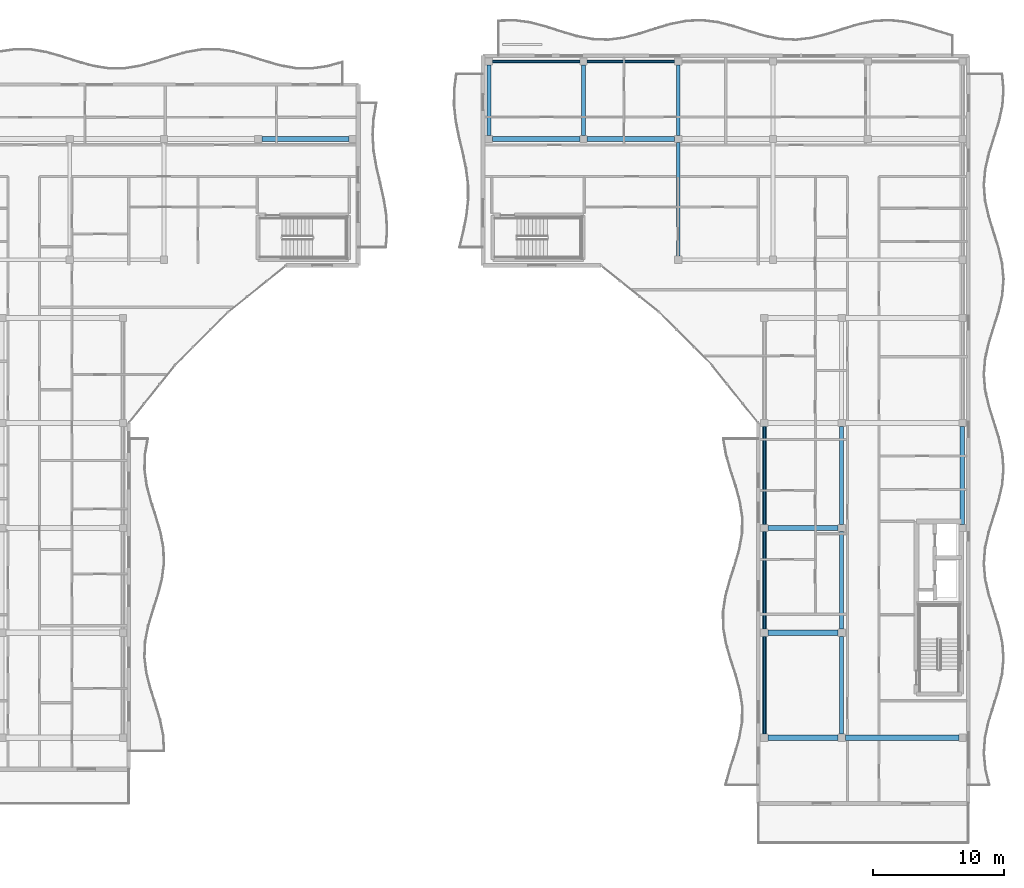
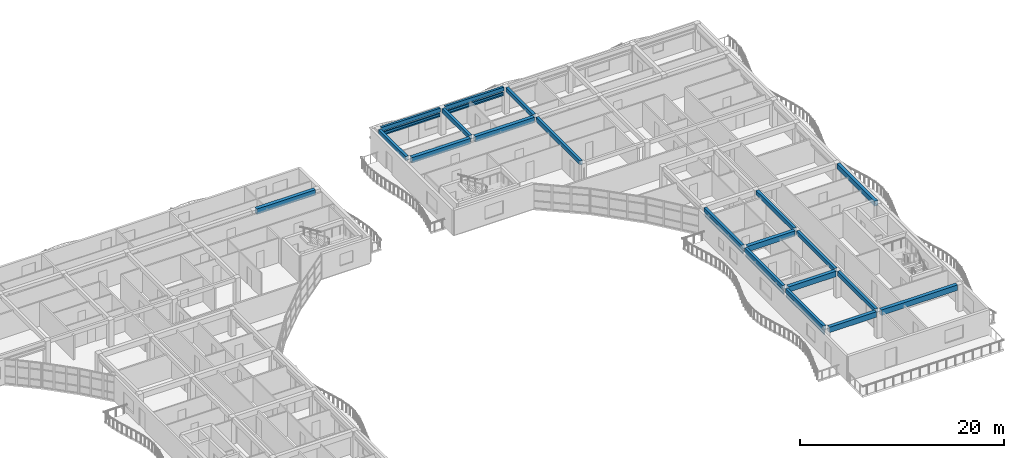
# One storey, part 16 of 49: 20 beams, 10 members.
"""IFC4 building model written with IfcOpenShell, lengths in metres."""

from ifc_helpers import new_model, si_unit, direction, frame, origin, origin_2d, place, context, subcontext, project, spatial, rectangle, hollow_rectangle, extrude, material, material_profile, profile_set, type_object, element, save


model = new_model("IFC4")

# Units and contexts
model_context = context("Model", 3, precision=1e-05, world=origin(), true_north=direction((0.0, 1.0)))
body_context = subcontext(model_context, "Body", "Model", "MODEL_VIEW")
ifc_project = project(units=[si_unit("LENGTHUNIT", "METRE"), si_unit("AREAUNIT", "SQUARE_METRE"), si_unit("VOLUMEUNIT", "CUBIC_METRE"), si_unit("PLANEANGLEUNIT", "RADIAN"), si_unit("MASSUNIT", "GRAM", prefix="KILO")], contexts=[model_context])

# Site, building, storey
site_placement = place(None, origin())
site = spatial("IfcSite", under=ifc_project, at=site_placement, CompositionType="ELEMENT")
building_placement = place(site_placement, origin())
building = spatial("IfcBuilding", under=site, at=building_placement, Name="Keldmere Railside Commons", CompositionType="ELEMENT")
storey_placement = place(building_placement, frame((0.0, 0.0, 29.760009765625)))
storey = spatial("IfcBuildingStorey", under=building, at=storey_placement, Name="L09", CompositionType="ELEMENT", Elevation=29.760009765625)

# Members
ifc_material_1 = material(Name="Steel F-36 (S355)", Category="steel")
ifc_material_profile_1 = material_profile(ifc_material_1, hollow_rectangle(XDim=0.14990234375, YDim=0.25, WallThickness=0.010009765625, at=origin_2d()), Name="RHS-250x150x10")
ifc_profile_set_1 = profile_set([ifc_material_profile_1], Name="Steel F-36 (S355)")
member_type_1 = type_object("IfcMemberType", Name="Balcony Continuous Planted Trough RHS250x150", PredefinedType="CHORD", material=ifc_profile_set_1)
for number, where, z_axis, x_axis, name in (
    (1, (147.72509765625, 115.550048828125, 2.4150390625), (1.0, 0.0, 0.0), (0.0, 1.0, 0.0), "PLT-1 MEM-BPLT-0957"),
    (2, (154.945068359375, 115.550048828125, 2.4150390625), (1.0, 0.0, 0.0), (0.0, 1.0, 0.0), "PLT-1 MEM-BPLT-0959"),
):
    element("IfcMember", number, at=place(storey_placement, frame(where, z_axis=z_axis, x_axis=x_axis)), inside=storey, type_object=member_type_1, Name=name, PredefinedType="CHORD", context=body_context, shape_type="SweptSolid", body=[
        extrude(hollow_rectangle(XDim=0.14990234375, YDim=0.25, WallThickness=0.010009765625, at=origin_2d()), origin(), (0.0, 0.0, 1.0), 6.669921875),
    ])
for number, where, z_axis, x_axis, name in (
    (3, (168.449951171875, 64.27490234375, 2.4150390625), (0.0, 1.0, 0.0), (-1.0, 0.0, 0.0), "PLT-1 MEM-BPLT-0967"),
    (4, (168.449951171875, 72.27490234375, 2.4150390625), (0.0, 1.0, 0.0), (-1.0, 0.0, 0.0), "PLT-1 MEM-BPLT-0969"),
    (5, (168.449951171875, 80.27490234375, 2.4150390625), (0.0, 1.0, 0.0), (-1.0, 0.0, 0.0), "PLT-1 MEM-BPLT-0971"),
):
    element("IfcMember", number, at=place(storey_placement, frame(where, z_axis=z_axis, x_axis=x_axis)), inside=storey, type_object=member_type_1, Name=name, PredefinedType="CHORD", context=body_context, shape_type="SweptSolid", body=[
        extrude(hollow_rectangle(XDim=0.14990234375, YDim=0.25, WallThickness=0.010009765625, at=origin_2d()), origin(), (0.0, 0.0, 1.0), 7.4501953125),
    ])

# Beams
ifc_material_2 = material(Name="Architectural Precast Concrete H-35 (C35/45)", Category="concrete")
ifc_material_profile_2 = material_profile(ifc_material_2, rectangle(XDim=0.25, YDim=0.449951171875, at=origin_2d()), Name="RC-250x450")
ifc_profile_set_2 = profile_set([ifc_material_profile_2], Name="Architectural Precast Concrete H-35 (C35/45)")
beam_type_1 = type_object("IfcBeamType", Name="Perimeter Precast Spandrel Beam 250x450", PredefinedType="SPANDREL", material=ifc_profile_set_2)
for number, where, z_axis, x_axis, name in (
    (6, (147.72509765625, 115.550048828125, 2.97509765625), (1.0, 0.0, 0.0), (0.0, 1.0, 0.0), "SPB-1 BM-L09-2317"),
    (7, (154.945068359375, 115.550048828125, 2.97509765625), (1.0, 0.0, 0.0), (0.0, 1.0, 0.0), "SPB-1 BM-L09-2318"),
):
    element("IfcBeam", number, at=place(storey_placement, frame(where, z_axis=z_axis, x_axis=x_axis)), inside=storey, type_object=beam_type_1, Name=name, PredefinedType="SPANDREL", context=body_context, shape_type="SweptSolid", body=[
        extrude(rectangle(XDim=0.25, YDim=0.449951171875, at=origin_2d()), origin(), (0.0, 0.0, 1.0), 6.669921875),
    ])
ifc_material_3 = material(Name="Concrete H-30 (C30/37)", Category="concrete")
ifc_material_profile_3 = material_profile(ifc_material_3, rectangle(XDim=0.35009765625, YDim=0.60009765625, at=origin_2d()), Name="RC-350x600")
ifc_profile_set_3 = profile_set([ifc_material_profile_3], Name="Concrete H-30 (C30/37)")
beam_type_2 = type_object("IfcBeamType", Name="Residential Chord RC Beam 350x600", PredefinedType="BEAM", material=ifc_profile_set_3)
beam_1_placement = place(storey_placement, frame((183.550048828125, 80.27490234375, 2.89990234375), z_axis=(0.0, 1.0, 0.0), x_axis=(-1.0, 0.0, 0.0)))
element("IfcBeam", 8, at=beam_1_placement, inside=storey, type_object=beam_type_2, Name="BG-4 BM-L09-2362", PredefinedType="BEAM", context=body_context, shape_type="SweptSolid", body=[
    extrude(rectangle(XDim=0.35009765625, YDim=0.60009765625, at=origin_2d()), origin(), (0.0, 0.0, 1.0), 7.4501953125),
])
ifc_material_profile_4 = material_profile(ifc_material_3, rectangle(XDim=0.39990234375, YDim=0.64990234375, at=origin_2d()), Name="RC-400x650")
ifc_profile_set_4 = profile_set([ifc_material_profile_4], Name="Concrete H-30 (C30/37)")
beam_type_3 = type_object("IfcBeamType", Name="Residential Spine RC Girder 400x650", PredefinedType="BEAM", material=ifc_profile_set_4)
beam_2_placement = place(storey_placement, frame((168.72509765625, 64.0, 2.875), z_axis=(1.0, 0.0, 0.0), x_axis=(0.0, 1.0, 0.0)))
element("IfcBeam", 9, at=beam_2_placement, inside=storey, type_object=beam_type_3, Name="BG-3 BM-L09-2272", PredefinedType="BEAM", context=body_context, shape_type="SweptSolid", body=[
    extrude(rectangle(XDim=0.39990234375, YDim=0.64990234375, at=origin_2d()), origin(), (0.0, 0.0, 1.0), 5.349853515625),
])
beam_3_placement = place(storey_placement, frame((174.625, 64.0, 2.875), z_axis=(1.0, 0.0, 0.0), x_axis=(0.0, 1.0, 0.0)))
element("IfcBeam", 10, at=beam_3_placement, inside=storey, type_object=beam_type_3, Name="BG-3 BM-L09-2273", PredefinedType="BEAM", context=body_context, shape_type="SweptSolid", body=[
    extrude(rectangle(XDim=0.39990234375, YDim=0.64990234375, at=origin_2d()), origin(), (0.0, 0.0, 1.0), 8.64990234375),
])
for number, where, z_axis, x_axis, name in (
    (11, (168.72509765625, 72.0, 2.875), (1.0, 0.0, 0.0), (0.0, 1.0, 0.0), "BG-3 BM-L09-2276"),
    (12, (168.72509765625, 80.0, 2.875), (1.0, 0.0, 0.0), (0.0, 1.0, 0.0), "BG-3 BM-L09-2279"),
):
    element("IfcBeam", number, at=place(storey_placement, frame(where, z_axis=z_axis, x_axis=x_axis)), inside=storey, type_object=beam_type_3, Name=name, PredefinedType="BEAM", context=body_context, shape_type="SweptSolid", body=[
        extrude(rectangle(XDim=0.39990234375, YDim=0.64990234375, at=origin_2d()), origin(), (0.0, 0.0, 1.0), 5.349853515625),
    ])
beam_4_placement = place(storey_placement, frame((130.14208984375, 109.64990234375, 2.875), z_axis=(1.0, 0.0, 0.0), x_axis=(0.0, 1.0, 0.0)))
element("IfcBeam", 13, at=beam_4_placement, inside=storey, type_object=beam_type_3, Name="BG-3 BM-L09-2311", PredefinedType="BEAM", context=body_context, shape_type="SweptSolid", body=[
    extrude(rectangle(XDim=0.39990234375, YDim=0.64990234375, at=origin_2d()), origin(), (0.0, 0.0, 1.0), 6.6328125),
])
for number, where, z_axis, x_axis, name in (
    (14, (147.72509765625, 109.64990234375, 2.875), (1.0, 0.0, 0.0), (0.0, 1.0, 0.0), "BG-3 BM-L09-2312"),
    (15, (154.945068359375, 109.64990234375, 2.875), (1.0, 0.0, 0.0), (0.0, 1.0, 0.0), "BG-3 BM-L09-2313"),
):
    element("IfcBeam", number, at=place(storey_placement, frame(where, z_axis=z_axis, x_axis=x_axis)), inside=storey, type_object=beam_type_3, Name=name, PredefinedType="BEAM", context=body_context, shape_type="SweptSolid", body=[
        extrude(rectangle(XDim=0.39990234375, YDim=0.64990234375, at=origin_2d()), origin(), (0.0, 0.0, 1.0), 6.669921875),
    ])
ifc_material_profile_5 = material_profile(ifc_material_3, rectangle(XDim=0.300048828125, YDim=0.5, at=origin_2d()), Name="RC-300x500")
ifc_profile_set_5 = profile_set([ifc_material_profile_5], Name="Concrete H-30 (C30/37)")
beam_type_4 = type_object("IfcBeamType", Name="Secondary Frame RC Beam 300x500", PredefinedType="BEAM", material=ifc_profile_set_5)
for number, where, z_axis, x_axis, name in (
    (16, (147.449951171875, 109.925048828125, 2.949951171875), (0.0, 1.0, 0.0), (-1.0, 0.0, 0.0), "BG-5 BM-L09-2347"),
    (17, (154.669921875, 109.925048828125, 2.949951171875), (0.0, 1.0, 0.0), (-1.0, 0.0, 0.0), "BG-5 BM-L09-2348"),
):
    element("IfcBeam", number, at=place(storey_placement, frame(where, z_axis=z_axis, x_axis=x_axis)), inside=storey, type_object=beam_type_4, Name=name, PredefinedType="BEAM", context=body_context, shape_type="SweptSolid", body=[
        extrude(rectangle(XDim=0.300048828125, YDim=0.5, at=origin_2d()), origin(), (0.0, 0.0, 1.0), 5.349853515625),
    ])
beam_5_placement = place(storey_placement, frame((161.889892578125, 100.72509765625, 2.949951171875), z_axis=(0.0, 1.0, 0.0), x_axis=(-1.0, 0.0, 0.0)))
element("IfcBeam", 18, at=beam_5_placement, inside=storey, type_object=beam_type_4, Name="BG-5 BM-L09-2349", PredefinedType="BEAM", context=body_context, shape_type="SweptSolid", body=[
    extrude(rectangle(XDim=0.300048828125, YDim=0.5, at=origin_2d()), origin(), (0.0, 0.0, 1.0), 8.64990234375),
])
beam_6_placement = place(storey_placement, frame((161.889892578125, 109.925048828125, 2.949951171875), z_axis=(0.0, 1.0, 0.0), x_axis=(-1.0, 0.0, 0.0)))
element("IfcBeam", 19, at=beam_6_placement, inside=storey, type_object=beam_type_4, Name="BG-5 BM-L09-2350", PredefinedType="BEAM", context=body_context, shape_type="SweptSolid", body=[
    extrude(rectangle(XDim=0.300048828125, YDim=0.5, at=origin_2d()), origin(), (0.0, 0.0, 1.0), 5.349853515625),
])
for number, where, z_axis, x_axis, name in (
    (20, (168.449951171875, 64.27490234375, 2.949951171875), (0.0, 1.0, 0.0), (-1.0, 0.0, 0.0), "BG-5 BM-L09-2351"),
    (21, (168.449951171875, 72.27490234375, 2.949951171875), (0.0, 1.0, 0.0), (-1.0, 0.0, 0.0), "BG-5 BM-L09-2352"),
    (22, (168.449951171875, 80.27490234375, 2.949951171875), (0.0, 1.0, 0.0), (-1.0, 0.0, 0.0), "BG-5 BM-L09-2353"),
    (23, (174.35009765625, 64.27490234375, 2.949951171875), (0.0, 1.0, 0.0), (-1.0, 0.0, 0.0), "BG-5 BM-L09-2357"),
    (24, (174.35009765625, 72.27490234375, 2.949951171875), (0.0, 1.0, 0.0), (-1.0, 0.0, 0.0), "BG-5 BM-L09-2358"),
    (25, (174.35009765625, 80.27490234375, 2.949951171875), (0.0, 1.0, 0.0), (-1.0, 0.0, 0.0), "BG-5 BM-L09-2359"),
):
    element("IfcBeam", number, at=place(storey_placement, frame(where, z_axis=z_axis, x_axis=x_axis)), inside=storey, type_object=beam_type_4, Name=name, PredefinedType="BEAM", context=body_context, shape_type="SweptSolid", body=[
        extrude(rectangle(XDim=0.300048828125, YDim=0.5, at=origin_2d()), origin(), (0.0, 0.0, 1.0), 7.4501953125),
    ])

# Members
ifc_material_profile_6 = material_profile(ifc_material_1, hollow_rectangle(XDim=0.10009765625, YDim=0.159912109375, WallThickness=0.008056640625, at=origin_2d()), Name="RHS-160x100x8")
ifc_profile_set_6 = profile_set([ifc_material_profile_6], Name="Steel F-36 (S355)")
member_type_2 = type_object("IfcMemberType", Name="Solar Brise-Soleil Louvre Fin RHS160x100", PredefinedType="STRUT", material=ifc_profile_set_6)
for number, where, z_axis, x_axis, name in (
    (26, (147.72509765625, 115.550048828125, 2.199951171875), (1.0, 0.0, 0.0), (0.0, 1.0, 0.0), "BSF-1 MEM-BSF-0958"),
    (27, (154.945068359375, 115.550048828125, 2.199951171875), (1.0, 0.0, 0.0), (0.0, 1.0, 0.0), "BSF-1 MEM-BSF-0960"),
):
    element("IfcMember", number, at=place(storey_placement, frame(where, z_axis=z_axis, x_axis=x_axis)), inside=storey, type_object=member_type_2, Name=name, PredefinedType="STRUT", context=body_context, shape_type="SweptSolid", body=[
        extrude(hollow_rectangle(XDim=0.10009765625, YDim=0.159912109375, WallThickness=0.008056640625, at=origin_2d()), origin(), (0.0, 0.0, 1.0), 6.669921875),
    ])
for number, where, z_axis, x_axis, name in (
    (28, (168.449951171875, 64.27490234375, 2.199951171875), (0.0, 1.0, 0.0), (-1.0, 0.0, 0.0), "BSF-1 MEM-BSF-0968"),
    (29, (168.449951171875, 72.27490234375, 2.199951171875), (0.0, 1.0, 0.0), (-1.0, 0.0, 0.0), "BSF-1 MEM-BSF-0970"),
    (30, (168.449951171875, 80.27490234375, 2.199951171875), (0.0, 1.0, 0.0), (-1.0, 0.0, 0.0), "BSF-1 MEM-BSF-0972"),
):
    element("IfcMember", number, at=place(storey_placement, frame(where, z_axis=z_axis, x_axis=x_axis)), inside=storey, type_object=member_type_2, Name=name, PredefinedType="STRUT", context=body_context, shape_type="SweptSolid", body=[
        extrude(hollow_rectangle(XDim=0.10009765625, YDim=0.159912109375, WallThickness=0.008056640625, at=origin_2d()), origin(), (0.0, 0.0, 1.0), 7.4501953125),
    ])

save(model, "model.ifc")
